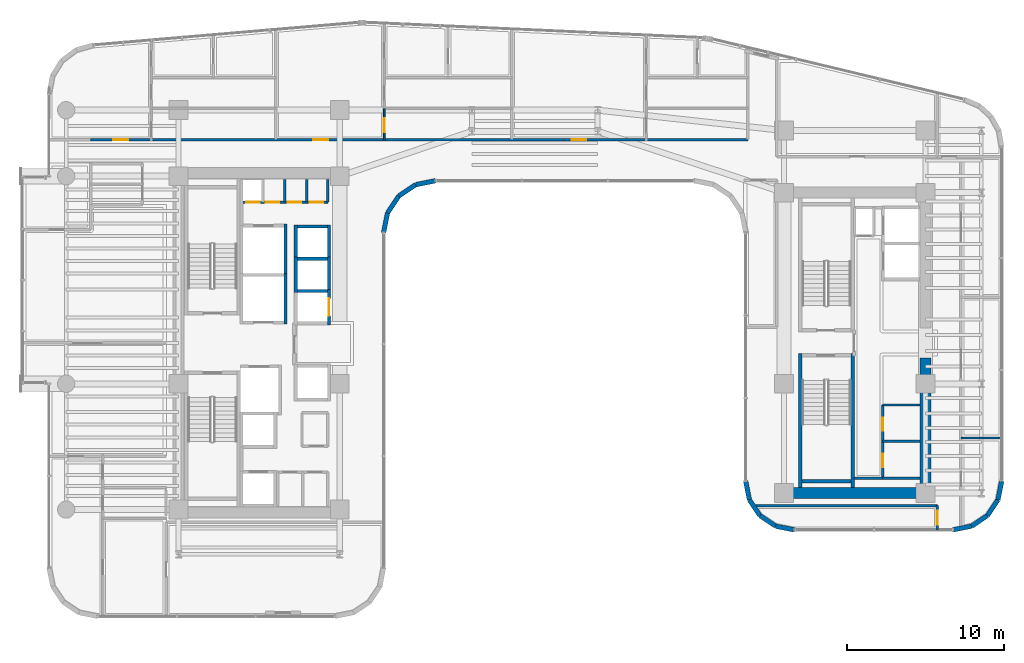
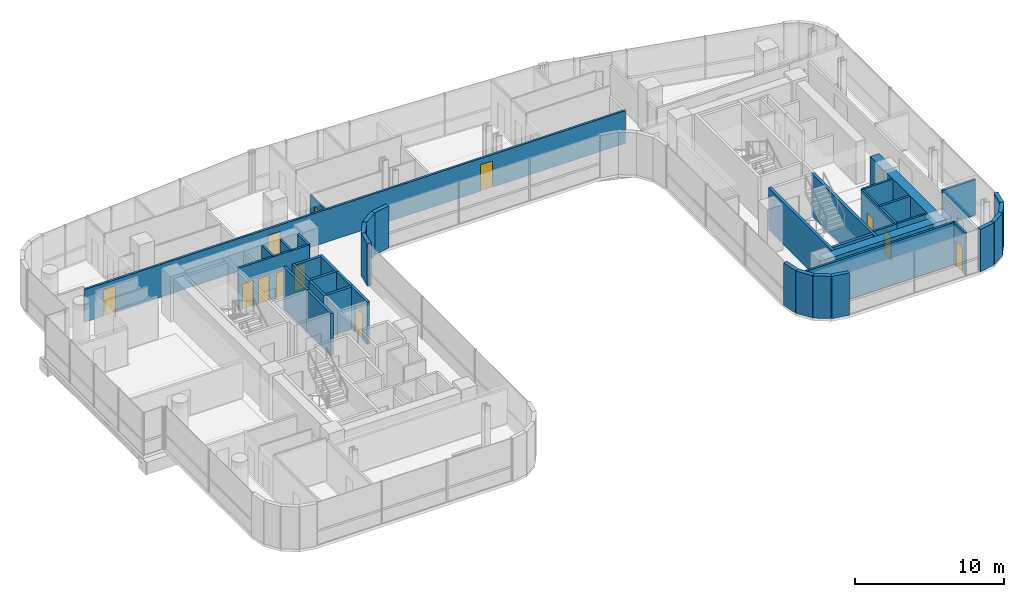
# One storey, part 28 of 36: 41 walls, 12 doors, 12 openings.
"""IFC4 building model written with IfcOpenShell, lengths in metres."""

from ifc_helpers import new_model, si_unit, direction, frame, frame_2d, origin, place, context, subcontext, project, spatial, rectangle, extrude, material, layer, layer_set, type_object, element, fill, save


model = new_model("IFC4")

# Units and contexts
model_context = context("Model", 3, precision=1e-05, world=origin(), true_north=direction((0.0, 1.0)))
body_context = subcontext(model_context, "Body", "Model", "MODEL_VIEW")
ifc_project = project(units=[si_unit("LENGTHUNIT", "METRE"), si_unit("AREAUNIT", "SQUARE_METRE"), si_unit("VOLUMEUNIT", "CUBIC_METRE"), si_unit("PLANEANGLEUNIT", "RADIAN"), si_unit("MASSUNIT", "GRAM", prefix="KILO")], contexts=[model_context])

# Site, building, storey
site_placement = place(None, origin())
site = spatial("IfcSite", under=ifc_project, at=site_placement, CompositionType="ELEMENT")
building_placement = place(site_placement, origin())
building = spatial("IfcBuilding", under=site, at=building_placement, Name="Valdorenza Pilgrim Sanctuary Tower", CompositionType="ELEMENT")
storey_placement = place(building_placement, frame((0.0, 0.0, 109.39990234375)))
storey = spatial("IfcBuildingStorey", under=building, at=storey_placement, Name="L27", CompositionType="ELEMENT", Elevation=109.39990234375)

# Wall, openings, doors
ifc_material_1 = material(Name="Acoustic twin-stud gypsum partition", Category="gypsum")
ifc_layer_1 = layer(ifc_material_1, 0.159912109375, Name="Acoustic twin-stud gypsum partition")
ifc_layer_set_1 = layer_set([ifc_layer_1], Name="Acoustic twin-stud gypsum partition")
wall_type_1 = type_object("IfcWallType", Name="WAL-COR-160", PredefinedType="PARTITIONING", material=ifc_layer_set_1)
wall_1_placement = place(storey_placement, frame((-18.64990234375, 8.949951171875, 0.0), z_axis=(0.0, 0.0, 1.0), x_axis=(1.0, 0.0, 0.0)))
wall_1 = element("IfcWall", 1, at=wall_1_placement, inside=storey, type_object=wall_type_1, Name="L27 Core A North Service South Wall", PredefinedType="PARTITIONING", context=body_context, shape_type="SweptSolid", body=[
    extrude(rectangle(XDim=5.5, YDim=0.159912109375, at=frame_2d((2.75, 0.0))), origin(), (0.0, 0.0, 1.0), 3.460205078125),
])
opening_1_placement = place(wall_1_placement, frame((0.300048828125, 0.0, 0.0)))
opening_1 = element("IfcOpeningElement", 2, at=opening_1_placement, cuts=wall_1, Name="Opening DR-RS1", PredefinedType="OPENING", context=body_context, shape_type="SweptSolid", body=[
    extrude(rectangle(XDim=0.85009765625, YDim=2.050048828125, at=frame_2d((0.425048828125, 1.02490234375))), frame((0.0, 0.0947265625, 0.0), z_axis=(0.0, -1.0, 0.0), x_axis=(1.0, 0.0, 0.0)), (0.0, 0.0, 1.0), 0.189697265625),
])
opening_2_placement = place(wall_1_placement, frame((1.550048828125, 0.0, 0.0)))
opening_2 = element("IfcOpeningElement", 3, at=opening_2_placement, cuts=wall_1, Name="Opening DR-RS1", PredefinedType="OPENING", context=body_context, shape_type="SweptSolid", body=[
    extrude(rectangle(XDim=0.85009765625, YDim=2.050048828125, at=frame_2d((0.425048828125, 1.02490234375))), frame((0.0, 0.0947265625, 0.0), z_axis=(0.0, -1.0, 0.0), x_axis=(1.0, 0.0, 0.0)), (0.0, 0.0, 1.0), 0.189697265625),
])
opening_3_placement = place(wall_1_placement, frame((2.949951171875, 0.0, 0.0)))
opening_3 = element("IfcOpeningElement", 4, at=opening_3_placement, cuts=wall_1, Name="Opening DR-RS1", PredefinedType="OPENING", context=body_context, shape_type="SweptSolid", body=[
    extrude(rectangle(XDim=0.85009765625, YDim=2.050048828125, at=frame_2d((0.425048828125, 1.02490234375))), frame((0.0, 0.0947265625, 0.0), z_axis=(0.0, -1.0, 0.0), x_axis=(1.0, 0.0, 0.0)), (0.0, 0.0, 1.0), 0.189697265625),
])
opening_4_placement = place(wall_1_placement, frame((4.35009765625, 0.0, 0.0)))
opening_4 = element("IfcOpeningElement", 5, at=opening_4_placement, cuts=wall_1, Name="Opening DR-RS1", PredefinedType="OPENING", context=body_context, shape_type="SweptSolid", body=[
    extrude(rectangle(XDim=0.85009765625, YDim=2.050048828125, at=frame_2d((0.425048828125, 1.02490234375))), frame((0.0, 0.0947265625, 0.0), z_axis=(0.0, -1.0, 0.0), x_axis=(1.0, 0.0, 0.0)), (0.0, 0.0, 1.0), 0.189697265625),
])
ifc_material_2 = material(Name="Painted galvanized steel", Category="steel")
door_type_1 = type_object("IfcDoorType", Name="DR-RSR-850", OperationType="NOTDEFINED", PredefinedType="DOOR", material=ifc_material_2)
door_1_placement = place(opening_1_placement, origin())
door_1 = element("IfcDoor", 6, at=door_1_placement, inside=storey, type_object=door_type_1, Name="L27 Core Electrical and Telecom Riser Door", OperationType="SINGLE_SWING_LEFT", OverallHeight=2.050048828125, OverallWidth=0.85009765625, PredefinedType="DOOR", context=body_context, shape_type="SweptSolid", body=[
    extrude(rectangle(XDim=0.85009765625, YDim=2.050048828125, at=frame_2d((0.425048828125, 1.02490234375))), frame((0.0, 0.02490234375, 0.0), z_axis=(0.0, -1.0, 0.0), x_axis=(1.0, 0.0, 0.0)), (0.0, 0.0, 1.0), 0.050048828125),
])
fill(opening_1, door_1)
door_2_placement = place(opening_2_placement, origin())
door_2 = element("IfcDoor", 7, at=door_2_placement, inside=storey, type_object=door_type_1, Name="L27 Housekeeping and Clean Linen Room Door", OperationType="SINGLE_SWING_RIGHT", OverallHeight=2.050048828125, OverallWidth=0.85009765625, PredefinedType="DOOR", context=body_context, shape_type="SweptSolid", body=[
    extrude(rectangle(XDim=0.85009765625, YDim=2.050048828125, at=frame_2d((0.425048828125, 1.02490234375))), frame((0.0, 0.02490234375, 0.0), z_axis=(0.0, -1.0, 0.0), x_axis=(1.0, 0.0, 0.0)), (0.0, 0.0, 1.0), 0.050048828125),
])
fill(opening_2, door_2)
door_3_placement = place(opening_3_placement, origin())
door_3 = element("IfcDoor", 8, at=door_3_placement, inside=storey, type_object=door_type_1, Name="L27 Core IT Server Closet Door", OperationType="SINGLE_SWING_LEFT", OverallHeight=2.050048828125, OverallWidth=0.85009765625, PredefinedType="DOOR", context=body_context, shape_type="SweptSolid", body=[
    extrude(rectangle(XDim=0.85009765625, YDim=2.050048828125, at=frame_2d((0.425048828125, 1.02490234375))), frame((0.0, 0.02490234375, 0.0), z_axis=(0.0, -1.0, 0.0), x_axis=(1.0, 0.0, 0.0)), (0.0, 0.0, 1.0), 0.050048828125),
])
fill(opening_3, door_3)
door_4_placement = place(opening_4_placement, origin())
door_4 = element("IfcDoor", 9, at=door_4_placement, inside=storey, type_object=door_type_1, Name="L27 Core Staff Washroom Door", OperationType="SINGLE_SWING_RIGHT", OverallHeight=2.050048828125, OverallWidth=0.85009765625, PredefinedType="DOOR", context=body_context, shape_type="SweptSolid", body=[
    extrude(rectangle(XDim=0.85009765625, YDim=2.050048828125, at=frame_2d((0.425048828125, 1.02490234375))), frame((0.0, 0.02490234375, 0.0), z_axis=(0.0, -1.0, 0.0), x_axis=(1.0, 0.0, 0.0)), (0.0, 0.0, 1.0), 0.050048828125),
])
fill(opening_4, door_4)

# Walls
for number, where, z_axis, x_axis, name in (
    (10, (-13.14990234375, 8.949951171875, 0.0), (0.0, 0.0, 1.0), (0.0, 1.0, 0.0), "L27 Core A North Service East Wall"),
    (11, (-15.89990234375, 8.949951171875, 0.0), (0.0, 0.0, 1.0), (0.0, 1.0, 0.0), "L27 Core A Split D1"),
    (12, (-14.5, 8.949951171875, 0.0), (0.0, 0.0, 1.0), (0.0, 1.0, 0.0), "L27 Core A Split D2"),
):
    element("IfcWall", number, at=place(storey_placement, frame(where, z_axis=z_axis, x_axis=x_axis)), inside=storey, type_object=wall_type_1, Name=name, PredefinedType="PARTITIONING", context=body_context, shape_type="SweptSolid", body=[
        extrude(rectangle(XDim=1.429931640625, YDim=0.159912109375, at=frame_2d((0.71484375, 0.0))), origin(), (0.0, 0.0, 1.0), 3.460205078125),
    ])
wall_2_placement = place(storey_placement, frame((20.300048828125, -8.60009765625, 0.0), z_axis=(0.0, 0.0, 1.0), x_axis=(1.0, 0.0, 0.0)))
element("IfcWall", 13, at=wall_2_placement, inside=storey, type_object=wall_type_1, Name="L27 Core B Lift Hall South End Wall", PredefinedType="PARTITIONING", context=body_context, shape_type="SweptSolid", body=[
    extrude(rectangle(XDim=1.820068359375, YDim=0.159912109375, at=frame_2d((0.91015625, 0.0))), origin(), (0.0, 0.0, 1.0), 3.460205078125),
])

# Wall, openings, doors
wall_3_placement = place(storey_placement, frame((22.1201171875, -8.60009765625, 0.0), z_axis=(0.0, 0.0, 1.0), x_axis=(0.0, 1.0, 0.0)))
wall_3 = element("IfcWall", 14, at=wall_3_placement, inside=storey, type_object=wall_type_1, Name="L27 Core B Freed Shaft West Wall", PredefinedType="PARTITIONING", context=body_context, shape_type="SweptSolid", body=[
    extrude(rectangle(XDim=4.650146484375, YDim=0.159912109375, at=frame_2d((2.3251953125, 0.0))), origin(), (0.0, 0.0, 1.0), 3.460205078125),
])
opening_5_placement = place(wall_3_placement, frame((0.699951171875, 0.0, 0.0)))
opening_5 = element("IfcOpeningElement", 15, at=opening_5_placement, cuts=wall_3, Name="Opening DR-RS1", PredefinedType="OPENING", context=body_context, shape_type="SweptSolid", body=[
    extrude(rectangle(XDim=0.85009765625, YDim=2.050048828125, at=frame_2d((0.425048828125, 1.02490234375))), frame((0.0, 0.0947265625, 0.0), z_axis=(0.0, -1.0, 0.0), x_axis=(1.0, 0.0, 0.0)), (0.0, 0.0, 1.0), 0.189697265625),
])
opening_6_placement = place(wall_3_placement, frame((3.0, 0.0, 0.0)))
opening_6 = element("IfcOpeningElement", 16, at=opening_6_placement, cuts=wall_3, Name="Opening DR-RS1", PredefinedType="OPENING", context=body_context, shape_type="SweptSolid", body=[
    extrude(rectangle(XDim=0.85009765625, YDim=2.050048828125, at=frame_2d((0.425048828125, 1.02490234375))), frame((0.0, 0.0947265625, 0.0), z_axis=(0.0, -1.0, 0.0), x_axis=(1.0, 0.0, 0.0)), (0.0, 0.0, 1.0), 0.189697265625),
])
door_5_placement = place(opening_5_placement, origin())
door_5 = element("IfcDoor", 17, at=door_5_placement, inside=storey, type_object=door_type_1, Name="L27 East Core Housekeeping Store Door", OperationType="SINGLE_SWING_RIGHT", OverallHeight=2.050048828125, OverallWidth=0.85009765625, PredefinedType="DOOR", context=body_context, shape_type="SweptSolid", body=[
    extrude(rectangle(XDim=0.85009765625, YDim=2.050048828125, at=frame_2d((0.425048828125, 1.02490234375))), frame((0.0, 0.02490234375, 0.0), z_axis=(0.0, -1.0, 0.0), x_axis=(1.0, 0.0, 0.0)), (0.0, 0.0, 1.0), 0.050048828125),
])
fill(opening_5, door_5)
door_6_placement = place(opening_6_placement, origin())
door_6 = element("IfcDoor", 18, at=door_6_placement, inside=storey, type_object=door_type_1, Name="L27 East Core Tea Pantry Door", OperationType="SINGLE_SWING_LEFT", OverallHeight=2.050048828125, OverallWidth=0.85009765625, PredefinedType="DOOR", context=body_context, shape_type="SweptSolid", body=[
    extrude(rectangle(XDim=0.85009765625, YDim=2.050048828125, at=frame_2d((0.425048828125, 1.02490234375))), frame((0.0, 0.02490234375, 0.0), z_axis=(0.0, -1.0, 0.0), x_axis=(1.0, 0.0, 0.0)), (0.0, 0.0, 1.0), 0.050048828125),
])
fill(opening_6, door_6)

# Wall
wall_4_placement = place(storey_placement, frame((22.1201171875, -6.25, 0.0), z_axis=(0.0, 0.0, 1.0), x_axis=(1.0, 0.0, 0.0)))
element("IfcWall", 19, at=wall_4_placement, inside=storey, type_object=wall_type_1, Name="L27 Core B Freed Split", PredefinedType="PARTITIONING", context=body_context, shape_type="SweptSolid", body=[
    extrude(rectangle(XDim=2.3798828125, YDim=0.159912109375, at=frame_2d((1.18994140625, 0.0))), origin(), (0.0, 0.0, 1.0), 3.460205078125),
])

# Wall, openings, doors
wall_5_placement = place(storey_placement, frame((-28.25, 12.919921875, 0.0), z_axis=(0.0, 0.0, 1.0), x_axis=(1.0, 0.0, 0.0)))
wall_5 = element("IfcWall", 20, at=wall_5_placement, inside=storey, type_object=wall_type_1, Name="L27 North Corridor Wall", PredefinedType="PARTITIONING", context=body_context, shape_type="SweptSolid", body=[
    extrude(rectangle(XDim=41.800048828125, YDim=0.159912109375, at=frame_2d((20.89990234375, 0.0))), origin(), (0.0, 0.0, 1.0), 2.666015625),
])
opening_7_placement = place(wall_5_placement, frame((1.4560546875, 0.0, 0.0)))
opening_7 = element("IfcOpeningElement", 21, at=opening_7_placement, cuts=wall_5, Name="Opening DR-UN1", PredefinedType="OPENING", context=body_context, shape_type="SweptSolid", body=[
    extrude(rectangle(XDim=0.949951171875, YDim=2.14990234375, at=frame_2d((0.47509765625, 1.074951171875))), frame((0.0, 0.0947265625, 0.0), z_axis=(0.0, -1.0, 0.0), x_axis=(1.0, 0.0, 0.0)), (0.0, 0.0, 1.0), 0.189697265625),
])
opening_8_placement = place(wall_5_placement, frame((14.1669921875, 0.0, 0.0)))
opening_8 = element("IfcOpeningElement", 22, at=opening_8_placement, cuts=wall_5, Name="Opening DR-UN1", PredefinedType="OPENING", context=body_context, shape_type="SweptSolid", body=[
    extrude(rectangle(XDim=0.949951171875, YDim=2.14990234375, at=frame_2d((0.47509765625, 1.074951171875))), frame((0.0, 0.0947265625, 0.0), z_axis=(0.0, -1.0, 0.0), x_axis=(1.0, 0.0, 0.0)), (0.0, 0.0, 1.0), 0.189697265625),
])
opening_9_placement = place(wall_5_placement, frame((30.5869140625, 0.0, 0.0)))
opening_9 = element("IfcOpeningElement", 23, at=opening_9_placement, cuts=wall_5, Name="Opening DR-UN1", PredefinedType="OPENING", context=body_context, shape_type="SweptSolid", body=[
    extrude(rectangle(XDim=0.949951171875, YDim=2.14990234375, at=frame_2d((0.47509765625, 1.074951171875))), frame((0.0, 0.0947265625, 0.0), z_axis=(0.0, -1.0, 0.0), x_axis=(1.0, 0.0, 0.0)), (0.0, 0.0, 1.0), 0.189697265625),
])
ifc_material_3 = material(Name="Solid-core European oak timber", Category="wood")
door_type_2 = type_object("IfcDoorType", Name="DR-UNIT-950", OperationType="NOTDEFINED", PredefinedType="DOOR", material=ifc_material_3)
door_7_placement = place(opening_7_placement, frame((0.949951171875, 0.0, 0.0), z_axis=(0.0, 0.0, 1.0), x_axis=(-1.0, 0.0, 0.0)))
door_7 = element("IfcDoor", 24, at=door_7_placement, inside=storey, type_object=door_type_2, Name="L27 North Family Flat L27-N1 Entrance Door", OperationType="SINGLE_SWING_LEFT", OverallHeight=2.14990234375, OverallWidth=0.949951171875, PredefinedType="DOOR", context=body_context, shape_type="SweptSolid", body=[
    extrude(rectangle(XDim=0.949951171875, YDim=2.14990234375, at=frame_2d((0.47509765625, 1.074951171875))), frame((0.0, 0.02490234375, 0.0), z_axis=(0.0, -1.0, 0.0), x_axis=(1.0, 0.0, 0.0)), (0.0, 0.0, 1.0), 0.050048828125),
])
fill(opening_7, door_7)
door_8_placement = place(opening_8_placement, origin())
door_8 = element("IfcDoor", 25, at=door_8_placement, inside=storey, type_object=door_type_2, Name="L27 North Family Flat L27-N2 Entrance Door", OperationType="SINGLE_SWING_RIGHT", OverallHeight=2.14990234375, OverallWidth=0.949951171875, PredefinedType="DOOR", context=body_context, shape_type="SweptSolid", body=[
    extrude(rectangle(XDim=0.949951171875, YDim=2.14990234375, at=frame_2d((0.47509765625, 1.074951171875))), frame((0.0, 0.02490234375, 0.0), z_axis=(0.0, -1.0, 0.0), x_axis=(1.0, 0.0, 0.0)), (0.0, 0.0, 1.0), 0.050048828125),
])
fill(opening_8, door_8)
door_9_placement = place(opening_9_placement, frame((0.949951171875, 0.0, 0.0), z_axis=(0.0, 0.0, 1.0), x_axis=(-1.0, 0.0, 0.0)))
door_9 = element("IfcDoor", 26, at=door_9_placement, inside=storey, type_object=door_type_2, Name="L27 North Family Flat L27-N3 Entrance Door", OperationType="SINGLE_SWING_LEFT", OverallHeight=2.14990234375, OverallWidth=0.949951171875, PredefinedType="DOOR", context=body_context, shape_type="SweptSolid", body=[
    extrude(rectangle(XDim=0.949951171875, YDim=2.14990234375, at=frame_2d((0.47509765625, 1.074951171875))), frame((0.0, 0.02490234375, 0.0), z_axis=(0.0, -1.0, 0.0), x_axis=(1.0, 0.0, 0.0)), (0.0, 0.0, 1.0), 0.050048828125),
])
fill(opening_9, door_9)

# Wall, opening, door
wall_6_placement = place(storey_placement, frame((25.60009765625, -11.889892578125, 0.0), z_axis=(0.0, 0.0, 1.0), x_axis=(0.0, 1.0, 0.0)))
wall_6 = element("IfcWall", 27, at=wall_6_placement, inside=storey, type_object=wall_type_1, Name="L27 Wing B South-East Wall", PredefinedType="PARTITIONING", context=body_context, shape_type="SweptSolid", body=[
    extrude(rectangle(XDim=1.539794921875, YDim=0.159912109375, at=frame_2d((0.77001953125, 0.0))), origin(), (0.0, 0.0, 1.0), 3.460205078125),
])
opening_10_placement = place(wall_6_placement, frame((0.320068359375, 0.0, 0.0)))
opening_10 = element("IfcOpeningElement", 28, at=opening_10_placement, cuts=wall_6, Name="Opening DR-RM1", PredefinedType="OPENING", context=body_context, shape_type="SweptSolid", body=[
    extrude(rectangle(XDim=0.89990234375, YDim=2.10009765625, at=frame_2d((0.449951171875, 1.050048828125))), frame((0.0, 0.0947265625, 0.0), z_axis=(0.0, -1.0, 0.0), x_axis=(1.0, 0.0, 0.0)), (0.0, 0.0, 1.0), 0.189697265625),
])
door_type_3 = type_object("IfcDoorType", Name="DR-ROOM-900", OperationType="NOTDEFINED", PredefinedType="DOOR", material=ifc_material_3)
door_10_placement = place(opening_10_placement, frame((0.89990234375, 0.0, 0.0), z_axis=(0.0, 0.0, 1.0), x_axis=(-1.0, 0.0, 0.0)))
door_10 = element("IfcDoor", 29, at=door_10_placement, inside=storey, type_object=door_type_3, Name="L27 Sacred Manuscript Archive L27-BS Door", OperationType="SINGLE_SWING_LEFT", OverallHeight=2.10009765625, OverallWidth=0.89990234375, PredefinedType="DOOR", context=body_context, shape_type="SweptSolid", body=[
    extrude(rectangle(XDim=0.89990234375, YDim=2.10009765625, at=frame_2d((0.449951171875, 1.050048828125))), frame((0.0, 0.02490234375, 0.0), z_axis=(0.0, -1.0, 0.0), x_axis=(1.0, 0.0, 0.0)), (0.0, 0.0, 1.0), 0.050048828125),
])
fill(opening_10, door_10)

# Walls
wall_7_placement = place(storey_placement, frame((14.043701171875, -10.35009765625, 0.0), z_axis=(0.0, 0.0, 1.0), x_axis=(1.0, 0.0, 0.0)))
element("IfcWall", 30, at=wall_7_placement, inside=storey, type_object=wall_type_1, Name="L27 Wing B South Closure", PredefinedType="PARTITIONING", context=body_context, shape_type="SweptSolid", body=[
    extrude(rectangle(XDim=11.556396484375, YDim=0.159912109375, at=frame_2d((5.7783203125, 0.0))), origin(), (0.0, 0.0, 1.0), 3.460205078125),
])
ifc_material_4 = material(Name="Concrete C60/75", Category="concrete")
ifc_layer_2 = layer(ifc_material_4, 0.699951171875, Name="Concrete C60/75")
ifc_layer_set_2 = layer_set([ifc_layer_2], Name="Concrete C60/75")
wall_type_2 = type_object("IfcWallType", Name="WAL-COR-700", PredefinedType="SHEAR", material=ifc_layer_set_2)
wall_8_placement = place(storey_placement, frame((24.85009765625, -9.89990234375, 0.0), z_axis=(0.0, 0.0, 1.0), x_axis=(0.0, 1.0, 0.0)))
element("IfcWall", 31, at=wall_8_placement, inside=storey, type_object=wall_type_2, Name="L27 Split Core B Shear Wall ES", PredefinedType="SHEAR", context=body_context, shape_type="SweptSolid", body=[
    extrude(rectangle(XDim=8.949951171875, YDim=0.699951171875, at=frame_2d((4.47509765625, 0.0))), origin(), (0.0, 0.0, 1.0), 3.460205078125),
])
wall_9_placement = place(storey_placement, frame((15.85009765625, -9.550048828125, 0.0), z_axis=(0.0, 0.0, 1.0), x_axis=(1.0, 0.0, 0.0)))
element("IfcWall", 32, at=wall_9_placement, inside=storey, type_object=wall_type_2, Name="L27 Split Core B Shear Wall S", PredefinedType="SHEAR", context=body_context, shape_type="SweptSolid", body=[
    extrude(rectangle(XDim=9.0, YDim=0.699951171875, at=frame_2d((4.5, 0.0))), origin(), (0.0, 0.0, 1.0), 3.460205078125),
])
ifc_material_5 = material(Name="Honed travertine limestone", Category="masonry")
ifc_layer_3 = layer(ifc_material_5, 0.300048828125, Name="Honed travertine limestone")
ifc_layer_set_3 = layer_set([ifc_layer_3], Name="Honed travertine limestone")
wall_type_3 = type_object("IfcWallType", Name="WAL-EXT-300", PredefinedType="SOLIDWALL", material=ifc_layer_set_3)
wall_10_placement = place(storey_placement, frame((29.68994140625, -8.789306640625, 0.0), z_axis=(0.0, 0.0, 1.0), x_axis=(-0.194996050505, -0.980804027463, 0.0)))
element("IfcWall", 33, at=wall_10_placement, inside=storey, type_object=wall_type_3, Name="L27 Rounded Wind-Corner Stone Pier 22", PredefinedType="SOLIDWALL", context=body_context, shape_type="SweptSolid", body=[
    extrude(rectangle(XDim=1.2158203125, YDim=0.300048828125, at=frame_2d((0.60791015625, 0.0))), origin(), (0.0, 0.0, 1.0), 3.460205078125),
])
for number, where, z_axis, x_axis, name in (
    (34, (29.452880859375, -9.981689453125, 0.0), (0.0, 0.0, 1.0), (-0.555635100982, -0.831426265255, 0.0), "L27 Rounded Wind-Corner Stone Pier 23"),
    (35, (28.783447265625, -10.9833984375, 0.0), (0.0, 0.0, 1.0), (-0.831426265255, -0.555635100982, 0.0), "L27 Rounded Wind-Corner Stone Pier 24"),
):
    element("IfcWall", number, at=place(storey_placement, frame(where, z_axis=z_axis, x_axis=x_axis)), inside=storey, type_object=wall_type_3, Name=name, PredefinedType="SOLIDWALL", context=body_context, shape_type="SweptSolid", body=[
        extrude(rectangle(XDim=1.204833984375, YDim=0.300048828125, at=frame_2d((0.6025390625, 0.0))), origin(), (0.0, 0.0, 1.0), 3.460205078125),
    ])
wall_11_placement = place(storey_placement, frame((27.78173828125, -11.65283203125, 0.0), z_axis=(0.0, 0.0, 1.0), x_axis=(-0.980811661072, -0.194957650543, 0.0)))
element("IfcWall", 36, at=wall_11_placement, inside=storey, type_object=wall_type_3, Name="L27 Rounded Wind-Corner Stone Pier 25", PredefinedType="SOLIDWALL", context=body_context, shape_type="SweptSolid", body=[
    extrude(rectangle(XDim=1.216064453125, YDim=0.300048828125, at=frame_2d((0.60791015625, 0.0))), origin(), (0.0, 0.0, 1.0), 3.460205078125),
])
wall_12_placement = place(storey_placement, frame((16.5107421875, -11.889892578125, 0.0), z_axis=(0.0, 0.0, 1.0), x_axis=(-0.980804027463, 0.194996050505, 0.0)))
element("IfcWall", 37, at=wall_12_placement, inside=storey, type_object=wall_type_3, Name="L27 Rounded Wind-Corner Stone Pier 27", PredefinedType="SOLIDWALL", context=body_context, shape_type="SweptSolid", body=[
    extrude(rectangle(XDim=1.2158203125, YDim=0.300048828125, at=frame_2d((0.60791015625, 0.0))), origin(), (0.0, 0.0, 1.0), 3.460205078125),
])
for number, where, z_axis, x_axis, name in (
    (38, (15.318359375, -11.65283203125, 0.0), (0.0, 0.0, 1.0), (-0.831426265255, 0.555635100982, 0.0), "L27 Rounded Wind-Corner Stone Pier 28"),
    (39, (14.316650390625, -10.9833984375, 0.0), (0.0, 0.0, 1.0), (-0.555635100982, 0.831426265255, 0.0), "L27 Rounded Wind-Corner Stone Pier 29"),
):
    element("IfcWall", number, at=place(storey_placement, frame(where, z_axis=z_axis, x_axis=x_axis)), inside=storey, type_object=wall_type_3, Name=name, PredefinedType="SOLIDWALL", context=body_context, shape_type="SweptSolid", body=[
        extrude(rectangle(XDim=1.204833984375, YDim=0.300048828125, at=frame_2d((0.6025390625, 0.0))), origin(), (0.0, 0.0, 1.0), 3.460205078125),
    ])
wall_13_placement = place(storey_placement, frame((13.647216796875, -9.981689453125, 0.0), z_axis=(0.0, 0.0, 1.0), x_axis=(-0.195189223115, 0.980765602568, 0.0)))
element("IfcWall", 40, at=wall_13_placement, inside=storey, type_object=wall_type_3, Name="L27 Rounded Wind-Corner Stone Pier 30", PredefinedType="SOLIDWALL", context=body_context, shape_type="SweptSolid", body=[
    extrude(rectangle(XDim=1.2158203125, YDim=0.300048828125, at=frame_2d((0.60791015625, 0.0))), origin(), (0.0, 0.0, 1.0), 3.460205078125),
])
wall_14_placement = place(storey_placement, frame((-6.310791015625, 10.31005859375, 0.0), z_axis=(0.0, 0.0, 1.0), x_axis=(-0.980778058848, -0.195126623715, 0.0)))
element("IfcWall", 41, at=wall_14_placement, inside=storey, type_object=wall_type_3, Name="L27 Rounded Wind-Corner Stone Pier 37", PredefinedType="SOLIDWALL", context=body_context, shape_type="SweptSolid", body=[
    extrude(rectangle(XDim=1.28125, YDim=0.300048828125, at=frame_2d((0.640625, 0.0))), origin(), (0.0, 0.0, 1.0), 3.460205078125),
])
wall_15_placement = place(storey_placement, frame((-7.5673828125, 10.06005859375, 0.0), z_axis=(0.0, 0.0, 1.0), x_axis=(-0.831497739511, -0.555528135371, 0.0)))
element("IfcWall", 42, at=wall_15_placement, inside=storey, type_object=wall_type_3, Name="L27 Rounded Wind-Corner Stone Pier 38", PredefinedType="SOLIDWALL", context=body_context, shape_type="SweptSolid", body=[
    extrude(rectangle(XDim=1.29248046875, YDim=0.300048828125, at=frame_2d((0.646240234375, 0.0))), origin(), (0.0, 0.0, 1.0), 3.460205078125),
])
wall_16_placement = place(storey_placement, frame((-8.64208984375, 9.342041015625, 0.0), z_axis=(0.0, 0.0, 1.0), x_axis=(-0.555615398575, -0.831439431869, 0.0)))
element("IfcWall", 43, at=wall_16_placement, inside=storey, type_object=wall_type_3, Name="L27 Rounded Wind-Corner Stone Pier 39", PredefinedType="SOLIDWALL", context=body_context, shape_type="SweptSolid", body=[
    extrude(rectangle(XDim=1.292236328125, YDim=0.300048828125, at=frame_2d((0.64599609375, 0.0))), origin(), (0.0, 0.0, 1.0), 3.460205078125),
])
wall_17_placement = place(storey_placement, frame((-9.360107421875, 8.267578125, 0.0), z_axis=(0.0, 0.0, 1.0), x_axis=(-0.195090163074, -0.980785312019, 0.0)))
element("IfcWall", 44, at=wall_17_placement, inside=storey, type_object=wall_type_3, Name="L27 Rounded Wind-Corner Stone Pier 40", PredefinedType="SOLIDWALL", context=body_context, shape_type="SweptSolid", body=[
    extrude(rectangle(XDim=1.281494140625, YDim=0.300048828125, at=frame_2d((0.640625, 0.0))), origin(), (0.0, 0.0, 1.0), 3.460205078125),
])

# Wall, opening, door
ifc_material_6 = material(Name="Moisture-resistant gypsum partition", Category="gypsum")
ifc_layer_4 = layer(ifc_material_6, 0.1201171875, Name="Moisture-resistant gypsum partition")
ifc_layer_set_4 = layer_set([ifc_layer_4], Name="Moisture-resistant gypsum partition")
wall_type_4 = type_object("IfcWallType", Name="WAL-INT-120", PredefinedType="PARTITIONING", material=ifc_layer_set_4)
wall_18_placement = place(storey_placement, frame((-9.57568359375, 12.840087890625, 0.0), z_axis=(0.0, 0.0, 1.0), x_axis=(0.0, 1.0, 0.0)))
wall_18 = element("IfcWall", 45, at=wall_18_placement, inside=storey, type_object=wall_type_4, Name="L27 North Family Flat L27-N2 Kitchen Door Wall", PredefinedType="PARTITIONING", context=body_context, shape_type="SweptSolid", body=[
    extrude(rectangle(XDim=2.079833984375, YDim=0.1201171875, at=frame_2d((1.0400390625, 0.0))), origin(), (0.0, 0.0, 1.0), 2.666015625),
])
opening_11_placement = place(wall_18_placement, frame((0.550048828125, 0.0, 0.0)))
opening_11 = element("IfcOpeningElement", 46, at=opening_11_placement, cuts=wall_18, Name="Opening DR-RM1", PredefinedType="OPENING", context=body_context, shape_type="SweptSolid", body=[
    extrude(rectangle(XDim=0.89990234375, YDim=2.10009765625, at=frame_2d((0.449951171875, 1.050048828125))), frame((0.0, 0.074951171875, 0.0), z_axis=(0.0, -1.0, 0.0), x_axis=(1.0, 0.0, 0.0)), (0.0, 0.0, 1.0), 0.14990234375),
])
door_11_placement = place(opening_11_placement, origin())
door_11 = element("IfcDoor", 47, at=door_11_placement, inside=storey, type_object=door_type_3, Name="L27 North Family Flat L27-N2 Kitchen Door", OperationType="SINGLE_SWING_RIGHT", OverallHeight=2.10009765625, OverallWidth=0.89990234375, PredefinedType="DOOR", context=body_context, shape_type="SweptSolid", body=[
    extrude(rectangle(XDim=0.89990234375, YDim=2.10009765625, at=frame_2d((0.449951171875, 1.050048828125))), frame((0.0, 0.02490234375, 0.0), z_axis=(0.0, -1.0, 0.0), x_axis=(1.0, 0.0, 0.0)), (0.0, 0.0, 1.0), 0.050048828125),
])
fill(opening_11, door_11)

# Walls
ifc_material_7 = material(Name="Autoclaved aerated concrete blockwork", Category="masonry")
ifc_layer_5 = layer(ifc_material_7, 0.199951171875, Name="Autoclaved aerated concrete blockwork")
ifc_layer_set_5 = layer_set([ifc_layer_5], Name="Autoclaved aerated concrete blockwork")
wall_type_5 = type_object("IfcWallType", Name="WAL-SHF-200", PredefinedType="MOVABLE", material=ifc_layer_set_5)
wall_19_placement = place(storey_placement, frame((-15.85009765625, 1.199951171875, 0.0), z_axis=(0.0, 0.0, 1.0), x_axis=(0.0, 1.0, 0.0)))
element("IfcWall", 48, at=wall_19_placement, inside=storey, type_object=wall_type_5, Name="L27 Lift FFL-01 Hoistway Wall East", PredefinedType="MOVABLE", context=body_context, shape_type="SweptSolid", body=[
    extrude(rectangle(XDim=3.22509765625, YDim=0.199951171875, at=frame_2d((1.612548828125, 0.0))), origin(), (0.0, 0.0, 1.0), 3.460205078125),
])
wall_20_placement = place(storey_placement, frame((-15.85009765625, 4.22509765625, 0.0), z_axis=(0.0, 0.0, 1.0), x_axis=(0.0, 1.0, 0.0)))
element("IfcWall", 49, at=wall_20_placement, inside=storey, type_object=wall_type_5, Name="L27 Lift SVL-01 Hoistway Wall East", PredefinedType="MOVABLE", context=body_context, shape_type="SweptSolid", body=[
    extrude(rectangle(XDim=3.324951171875, YDim=0.199951171875, at=frame_2d((1.66259765625, 0.0))), origin(), (0.0, 0.0, 1.0), 3.460205078125),
])

# Wall, opening, door
wall_21_placement = place(storey_placement, frame((-13.080078125, 1.14990234375, 0.0), z_axis=(0.0, 0.0, 1.0), x_axis=(0.0, 1.0, 0.0)))
wall_21 = element("IfcWall", 50, at=wall_21_placement, inside=storey, type_object=wall_type_5, Name="L27 Lift PL-06 Hoistway Wall East", PredefinedType="MOVABLE", context=body_context, shape_type="SweptSolid", body=[
    extrude(rectangle(XDim=2.25, YDim=0.199951171875, at=frame_2d((1.125, 0.0))), origin(), (0.0, 0.0, 1.0), 3.460205078125),
])
opening_12_placement = place(wall_21_placement, frame((0.574951171875, 0.0, 0.0)))
opening_12 = element("IfcOpeningElement", 51, at=opening_12_placement, cuts=wall_21, Name="Opening LD-01", PredefinedType="OPENING", context=body_context, shape_type="SweptSolid", body=[
    extrude(rectangle(XDim=1.10009765625, YDim=2.10009765625, at=frame_2d((0.550048828125, 1.050048828125))), frame((0.0, 0.11474609375, 0.0), z_axis=(0.0, -1.0, 0.0), x_axis=(1.0, 0.0, 0.0)), (0.0, 0.0, 1.0), 0.229736328125),
])
ifc_material_8 = material(Name="Brushed stainless steel Grade 316", Category="steel")
door_type_4 = type_object("IfcDoorType", Name="DR-LFT-1100", OperationType="DOUBLE_DOOR_SLIDING", PredefinedType="DOOR", material=ifc_material_8)
door_12_placement = place(opening_12_placement, origin())
door_12 = element("IfcDoor", 52, at=door_12_placement, inside=storey, type_object=door_type_4, Name="L27 Lift PL-06 Sliding Landing Door", OperationType="DOUBLE_DOOR_SLIDING", OverallHeight=2.10009765625, OverallWidth=1.10009765625, PredefinedType="DOOR", context=body_context, shape_type="SweptSolid", body=[
    extrude(rectangle(XDim=1.10009765625, YDim=2.10009765625, at=frame_2d((0.550048828125, 1.050048828125))), frame((0.0, 0.02490234375, 0.0), z_axis=(0.0, -1.0, 0.0), x_axis=(1.0, 0.0, 0.0)), (0.0, 0.0, 1.0), 0.050048828125),
])
fill(opening_12, door_12)

# Walls
for number, where, z_axis, x_axis, name in (
    (53, (-15.199951171875, 3.199951171875, 0.0), (0.0, 0.0, 1.0), (0.0, 1.0, 0.0), "L27 Lift PL-09 Hoistway Wall West"),
    (54, (-13.080078125, 3.199951171875, 0.0), (0.0, 0.0, 1.0), (0.0, 1.0, 0.0), "L27 Lift PL-09 Hoistway Wall East"),
):
    element("IfcWall", number, at=place(storey_placement, frame(where, z_axis=z_axis, x_axis=x_axis)), inside=storey, type_object=wall_type_5, Name=name, PredefinedType="MOVABLE", context=body_context, shape_type="SweptSolid", body=[
        extrude(rectangle(XDim=2.25, YDim=0.199951171875, at=frame_2d((1.125, 0.0))), origin(), (0.0, 0.0, 1.0), 3.460205078125),
    ])
for number, where, z_axis, x_axis, name in (
    (55, (-15.10009765625, 3.300048828125, 0.0), (0.0, 0.0, 1.0), (1.0, 0.0, 0.0), "L27 Lift PL-09 Hoistway Wall South"),
    (56, (-15.10009765625, 5.35009765625, 0.0), (0.0, 0.0, 1.0), (1.0, 0.0, 0.0), "L27 Lift PL-09 Hoistway Wall North"),
):
    element("IfcWall", number, at=place(storey_placement, frame(where, z_axis=z_axis, x_axis=x_axis)), inside=storey, type_object=wall_type_5, Name=name, PredefinedType="MOVABLE", context=body_context, shape_type="SweptSolid", body=[
        extrude(rectangle(XDim=1.920166015625, YDim=0.199951171875, at=frame_2d((0.9599609375, 0.0))), origin(), (0.0, 0.0, 1.0), 3.460205078125),
    ])
for number, where, z_axis, x_axis, name in (
    (57, (-15.199951171875, 5.25, 0.0), (0.0, 0.0, 1.0), (0.0, 1.0, 0.0), "L27 Lift PL-10 Hoistway Wall West"),
    (58, (-13.080078125, 5.25, 0.0), (0.0, 0.0, 1.0), (0.0, 1.0, 0.0), "L27 Lift PL-10 Hoistway Wall East"),
):
    element("IfcWall", number, at=place(storey_placement, frame(where, z_axis=z_axis, x_axis=x_axis)), inside=storey, type_object=wall_type_5, Name=name, PredefinedType="MOVABLE", context=body_context, shape_type="SweptSolid", body=[
        extrude(rectangle(XDim=2.25, YDim=0.199951171875, at=frame_2d((1.125, 0.0))), origin(), (0.0, 0.0, 1.0), 3.460205078125),
    ])
wall_22_placement = place(storey_placement, frame((-15.10009765625, 7.39990234375, 0.0), z_axis=(0.0, 0.0, 1.0), x_axis=(1.0, 0.0, 0.0)))
element("IfcWall", 59, at=wall_22_placement, inside=storey, type_object=wall_type_5, Name="L27 Lift PL-10 Hoistway Wall North", PredefinedType="MOVABLE", context=body_context, shape_type="SweptSolid", body=[
    extrude(rectangle(XDim=1.920166015625, YDim=0.199951171875, at=frame_2d((0.9599609375, 0.0))), origin(), (0.0, 0.0, 1.0), 3.460205078125),
])
ifc_material_9 = material(Name="Concrete C40/50", Category="concrete")
ifc_layer_6 = layer(ifc_material_9, 0.219970703125, Name="Concrete C40/50")
ifc_layer_set_6 = layer_set([ifc_layer_6], Name="Concrete C40/50")
wall_type_6 = type_object("IfcWallType", Name="WAL-STR-SHF-220", PredefinedType="SHEAR", material=ifc_layer_set_6)
for number, where, z_axis, x_axis, name in (
    (60, (16.889892578125, -9.199951171875, 0.0), (0.0, 0.0, 1.0), (0.0, 1.0, 0.0), "L27 ST-B2 Structural Stairwell Wall W"),
    (61, (20.219970703125, -9.199951171875, 0.0), (0.0, 0.0, 1.0), (0.0, 1.0, 0.0), "L27 ST-B2 Structural Stairwell Wall E"),
):
    element("IfcWall", number, at=place(storey_placement, frame(where, z_axis=z_axis, x_axis=x_axis)), inside=storey, type_object=wall_type_6, Name=name, PredefinedType="SHEAR", context=body_context, shape_type="SweptSolid", body=[
        extrude(rectangle(XDim=8.52001953125, YDim=0.219970703125, at=frame_2d((4.260009765625, 0.0))), origin(), (0.0, 0.0, 1.0), 3.460205078125),
    ])
wall_23_placement = place(storey_placement, frame((17.0, -8.81005859375, 0.0), z_axis=(0.0, 0.0, 1.0), x_axis=(1.0, 0.0, 0.0)))
element("IfcWall", 62, at=wall_23_placement, inside=storey, type_object=wall_type_6, Name="L27 ST-B2 Structural Stairwell Wall S", PredefinedType="SHEAR", context=body_context, shape_type="SweptSolid", body=[
    extrude(rectangle(XDim=3.110107421875, YDim=0.219970703125, at=frame_2d((1.55517578125, 0.0))), origin(), (0.0, 0.0, 1.0), 3.460205078125),
])
ifc_layer_7 = layer(ifc_material_1, 0.14990234375, Name="Acoustic twin-stud gypsum partition")
ifc_layer_set_7 = layer_set([ifc_layer_7], Name="Acoustic twin-stud gypsum partition")
wall_type_7 = type_object("IfcWallType", Name="WAL-UNT-150", PredefinedType="PARTITIONING", material=ifc_layer_set_7)
for number, where, z_axis, x_axis, name in (
    (63, (22.1201171875, -3.949951171875, 0.0), (0.0, 0.0, 1.0), (1.0, 0.0, 0.0), "L27 Core B Freed Shaft North Wall"),
    (64, (22.1201171875, -8.60009765625, 0.0), (0.0, 0.0, 1.0), (1.0, 0.0, 0.0), "L27 Core B Freed Shaft South Wall"),
):
    element("IfcWall", number, at=place(storey_placement, frame(where, z_axis=z_axis, x_axis=x_axis)), inside=storey, type_object=wall_type_7, Name=name, PredefinedType="PARTITIONING", context=body_context, shape_type="SweptSolid", body=[
        extrude(rectangle(XDim=2.3798828125, YDim=0.14990234375, at=frame_2d((1.18994140625, 0.0))), origin(), (0.0, 0.0, 1.0), 3.460205078125),
    ])
wall_24_placement = place(storey_placement, frame((27.10009765625, -6.050048828125, 0.0), z_axis=(0.0, 0.0, 1.0), x_axis=(1.0, 0.0, 0.0)))
element("IfcWall", 65, at=wall_24_placement, inside=storey, type_object=wall_type_7, Name="L27 East Reading Lounge L27-EB2 Demising Wall", PredefinedType="PARTITIONING", context=body_context, shape_type="SweptSolid", body=[
    extrude(rectangle(XDim=2.58984375, YDim=0.14990234375, at=frame_2d((1.294921875, 0.0))), origin(), (0.0, 0.0, 1.0), 2.89599609375),
])

save(model, "model.ifc")
